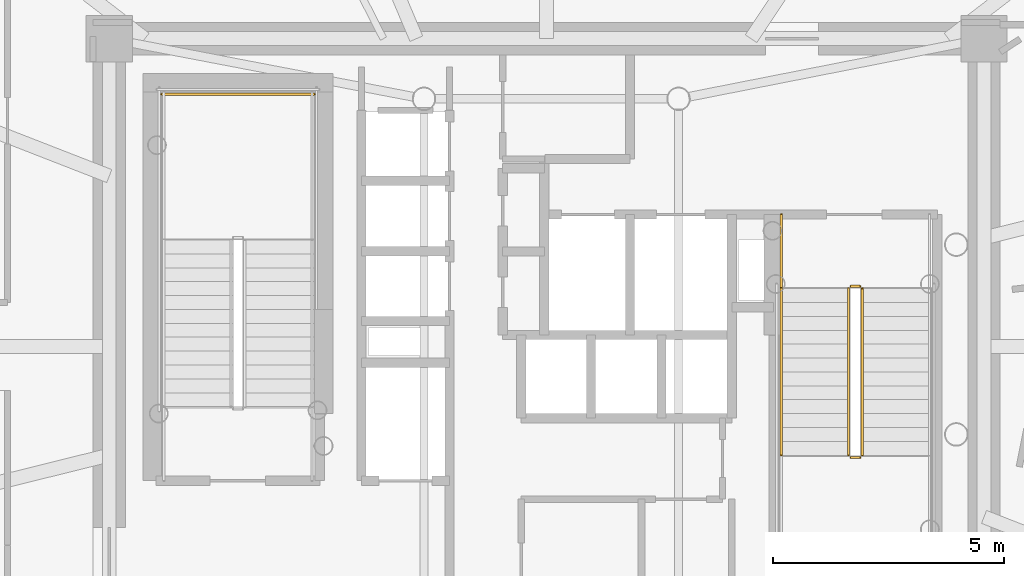
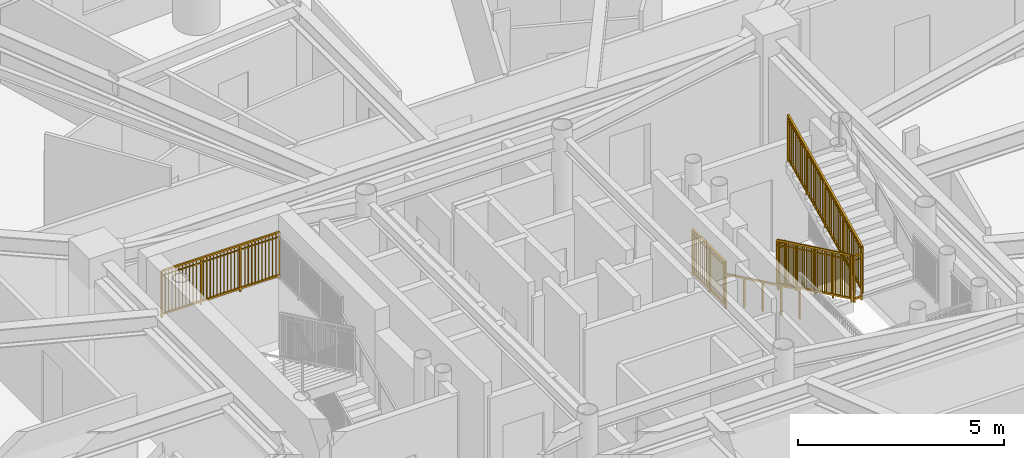
# One storey, part 19 of 22: 7 railings.
"""IFC4 building model written with IfcOpenShell, lengths in metres."""

from ifc_helpers import new_model, si_unit, direction, frame, origin, origin_2d, place, context, subcontext, project, spatial, rectangle, extrude, source, transform, mapped, material, type_object, element, save


model = new_model("IFC4")

# Units and contexts
model_context = context("Model", 3, precision=1e-05, world=origin(), true_north=direction((0.0, 1.0)))
body_context = subcontext(model_context, "Body", "Model", "MODEL_VIEW")
ifc_project = project(units=[si_unit("LENGTHUNIT", "METRE"), si_unit("AREAUNIT", "SQUARE_METRE"), si_unit("VOLUMEUNIT", "CUBIC_METRE"), si_unit("PLANEANGLEUNIT", "RADIAN"), si_unit("MASSUNIT", "GRAM", prefix="KILO")], contexts=[model_context])

# Site, building, storey
site_placement = place(None, origin())
site = spatial("IfcSite", under=ifc_project, at=site_placement, CompositionType="ELEMENT")
building_placement = place(site_placement, origin())
building = spatial("IfcBuilding", under=site, at=building_placement, Name="Linh Dai School and Residence Tower", CompositionType="ELEMENT")
storey_placement = place(building_placement, frame((0.0, 0.0, 214.050048828125)))
storey = spatial("IfcBuildingStorey", under=building, at=storey_placement, Name="L52", CompositionType="ELEMENT", Elevation=214.050048828125)

# Railings
ifc_material_1 = material(Name="Structural Steel S355JR", Category="steel")
railing_type_1 = type_object("IfcRailingType", Name="RL-ST-GUARD-1400", PredefinedType="GUARDRAIL", material=ifc_material_1)
shared_shape_1 = source(origin(), body_context, "Body", "SweptSolid", [
    extrude(rectangle(XDim=0.048095703125, YDim=0.048095703125, at=origin_2d()), frame((0.0, 0.0, 1.3759765625), z_axis=(-1.0, 0.0, 0.0), x_axis=(0.0, -1.0, 0.0)), (0.0, 0.0, 1.0), 3.300048828125),
    extrude(rectangle(XDim=0.048095703125, YDim=0.048095703125, at=origin_2d()), frame((0.0, 0.0, 0.10009765625), z_axis=(-1.0, 0.0, 0.0), x_axis=(0.0, -1.0, 0.0)), (0.0, 0.0, 1.0), 3.300048828125),
    extrude(rectangle(XDim=0.030029296875, YDim=0.030029296875, at=origin_2d()), frame((0.0, 0.0, 1.239990234375), z_axis=(-1.0, 0.0, 0.0), x_axis=(0.0, -1.0, 0.0)), (0.0, 0.0, 1.0), 3.300048828125),
    extrude(rectangle(XDim=0.02001953125, YDim=0.02001953125, at=origin_2d()), frame((-0.09716796875, 0.0, 0.10009765625)), (0.0, 0.0, 1.0), 1.251708984375),
    extrude(rectangle(XDim=0.02001953125, YDim=0.02001953125, at=origin_2d()), frame((-0.194091796875, 0.0, 0.10009765625)), (0.0, 0.0, 1.0), 1.251708984375),
    extrude(rectangle(XDim=0.02001953125, YDim=0.02001953125, at=origin_2d()), frame((-0.291259765625, 0.0, 0.10009765625)), (0.0, 0.0, 1.0), 1.251708984375),
    extrude(rectangle(XDim=0.02001953125, YDim=0.02001953125, at=origin_2d()), frame((-0.38818359375, 0.0, 0.10009765625)), (0.0, 0.0, 1.0), 1.251708984375),
    extrude(rectangle(XDim=0.02001953125, YDim=0.02001953125, at=origin_2d()), frame((-0.4853515625, 0.0, 0.10009765625)), (0.0, 0.0, 1.0), 1.251708984375),
    extrude(rectangle(XDim=0.02001953125, YDim=0.02001953125, at=origin_2d()), frame((-0.582275390625, 0.0, 0.10009765625)), (0.0, 0.0, 1.0), 1.251708984375),
    extrude(rectangle(XDim=0.02001953125, YDim=0.02001953125, at=origin_2d()), frame((-0.679443359375, 0.0, 0.10009765625)), (0.0, 0.0, 1.0), 1.251708984375),
    extrude(rectangle(XDim=0.02001953125, YDim=0.02001953125, at=origin_2d()), frame((-0.7763671875, 0.0, 0.10009765625)), (0.0, 0.0, 1.0), 1.251708984375),
    extrude(rectangle(XDim=0.02001953125, YDim=0.02001953125, at=origin_2d()), frame((-0.87353515625, 0.0, 0.10009765625)), (0.0, 0.0, 1.0), 1.251708984375),
    extrude(rectangle(XDim=0.02001953125, YDim=0.02001953125, at=origin_2d()), frame((-0.970703125, 0.0, 0.10009765625)), (0.0, 0.0, 1.0), 1.251708984375),
    extrude(rectangle(XDim=0.02001953125, YDim=0.02001953125, at=origin_2d()), frame((-1.164794921875, 0.0, 0.10009765625)), (0.0, 0.0, 1.0), 1.251708984375),
    extrude(rectangle(XDim=0.02001953125, YDim=0.02001953125, at=origin_2d()), frame((-1.26171875, 0.0, 0.10009765625)), (0.0, 0.0, 1.0), 1.251708984375),
    extrude(rectangle(XDim=0.02001953125, YDim=0.02001953125, at=origin_2d()), frame((-1.35888671875, 0.0, 0.10009765625)), (0.0, 0.0, 1.0), 1.251708984375),
    extrude(rectangle(XDim=0.02001953125, YDim=0.02001953125, at=origin_2d()), frame((-1.455810546875, 0.0, 0.10009765625)), (0.0, 0.0, 1.0), 1.251708984375),
    extrude(rectangle(XDim=0.02001953125, YDim=0.02001953125, at=origin_2d()), frame((-1.552978515625, 0.0, 0.10009765625)), (0.0, 0.0, 1.0), 1.251708984375),
    extrude(rectangle(XDim=0.02001953125, YDim=0.02001953125, at=origin_2d()), frame((-1.64990234375, 0.0, 0.10009765625)), (0.0, 0.0, 1.0), 1.251708984375),
    extrude(rectangle(XDim=0.02001953125, YDim=0.02001953125, at=origin_2d()), frame((-1.7470703125, 0.0, 0.10009765625)), (0.0, 0.0, 1.0), 1.251708984375),
    extrude(rectangle(XDim=0.02001953125, YDim=0.02001953125, at=origin_2d()), frame((-1.84423828125, 0.0, 0.10009765625)), (0.0, 0.0, 1.0), 1.251708984375),
    extrude(rectangle(XDim=0.02001953125, YDim=0.02001953125, at=origin_2d()), frame((-1.941162109375, 0.0, 0.10009765625)), (0.0, 0.0, 1.0), 1.251708984375),
    extrude(rectangle(XDim=0.02001953125, YDim=0.02001953125, at=origin_2d()), frame((-2.038330078125, 0.0, 0.10009765625)), (0.0, 0.0, 1.0), 1.251708984375),
    extrude(rectangle(XDim=0.02001953125, YDim=0.02001953125, at=origin_2d()), frame((-2.13525390625, 0.0, 0.10009765625)), (0.0, 0.0, 1.0), 1.251708984375),
    extrude(rectangle(XDim=0.02001953125, YDim=0.02001953125, at=origin_2d()), frame((-2.329345703125, 0.0, 0.10009765625)), (0.0, 0.0, 1.0), 1.251708984375),
    extrude(rectangle(XDim=0.02001953125, YDim=0.02001953125, at=origin_2d()), frame((-2.426513671875, 0.0, 0.10009765625)), (0.0, 0.0, 1.0), 1.251708984375),
    extrude(rectangle(XDim=0.02001953125, YDim=0.02001953125, at=origin_2d()), frame((-2.523681640625, 0.0, 0.10009765625)), (0.0, 0.0, 1.0), 1.251708984375),
    extrude(rectangle(XDim=0.02001953125, YDim=0.02001953125, at=origin_2d()), frame((-2.62060546875, 0.0, 0.10009765625)), (0.0, 0.0, 1.0), 1.251708984375),
    extrude(rectangle(XDim=0.02001953125, YDim=0.02001953125, at=origin_2d()), frame((-2.7177734375, 0.0, 0.10009765625)), (0.0, 0.0, 1.0), 1.251708984375),
    extrude(rectangle(XDim=0.02001953125, YDim=0.02001953125, at=origin_2d()), frame((-2.814697265625, 0.0, 0.10009765625)), (0.0, 0.0, 1.0), 1.251708984375),
    extrude(rectangle(XDim=0.02001953125, YDim=0.02001953125, at=origin_2d()), frame((-2.911865234375, 0.0, 0.10009765625)), (0.0, 0.0, 1.0), 1.251708984375),
    extrude(rectangle(XDim=0.02001953125, YDim=0.02001953125, at=origin_2d()), frame((-3.0087890625, 0.0, 0.10009765625)), (0.0, 0.0, 1.0), 1.251708984375),
    extrude(rectangle(XDim=0.02001953125, YDim=0.02001953125, at=origin_2d()), frame((-3.10595703125, 0.0, 0.10009765625)), (0.0, 0.0, 1.0), 1.251708984375),
    extrude(rectangle(XDim=0.02001953125, YDim=0.02001953125, at=origin_2d()), frame((-3.202880859375, 0.0, 0.10009765625)), (0.0, 0.0, 1.0), 1.251708984375),
    extrude(rectangle(XDim=0.0419921875, YDim=0.0419921875, at=origin_2d()), origin(), (0.0, 0.0, 1.0), 1.3759765625),
    extrude(rectangle(XDim=0.0419921875, YDim=0.0419921875, at=origin_2d()), frame((-1.10009765625, 0.0, 0.0)), (0.0, 0.0, 1.0), 1.3759765625),
    extrude(rectangle(XDim=0.0419921875, YDim=0.0419921875, at=origin_2d()), frame((-2.199951171875, 0.0, 0.0)), (0.0, 0.0, 1.0), 1.3759765625),
    extrude(rectangle(XDim=0.0419921875, YDim=0.0419921875, at=origin_2d()), frame((-3.300048828125, 0.0, 0.0)), (0.0, 0.0, 1.0), 1.3759765625),
])
railing_1_placement = place(storey_placement, frame((30.97998046875, 32.449951171875, 1.875)))
element("IfcRailing", 1, at=railing_1_placement, inside=storey, type_object=railing_type_1, Name="L52 ST1 stair guard 5", PredefinedType="GUARDRAIL", context=body_context, shape_type="MappedRepresentation", body=[
    mapped(shared_shape_1, transform((0.0, 0.0, 0.0), x_axis=(1.0, 0.0, 0.0), y_axis=(0.0, 1.0, 0.0), z_axis=(0.0, 0.0, 1.0), scale=1.0)),
])
shared_shape_2 = source(origin(), body_context, "Body", "SweptSolid", [
    extrude(rectangle(XDim=0.048095703125, YDim=0.048095703125, at=origin_2d()), frame((0.0, 0.0, 1.3759765625), z_axis=(0.0, 0.901262522062, 0.433273431364), x_axis=(-1.0, 0.0, 0.0)), (0.0, 0.0, 1.0), 3.994384765625),
    extrude(rectangle(XDim=0.048095703125, YDim=0.048095703125, at=origin_2d()), frame((0.0, 0.0, 0.10009765625), z_axis=(0.0, 0.901262522062, 0.433273431364), x_axis=(-1.0, 0.0, 0.0)), (0.0, 0.0, 1.0), 3.994384765625),
    extrude(rectangle(XDim=0.030029296875, YDim=0.030029296875, at=origin_2d()), frame((0.0, 0.0, 1.239990234375), z_axis=(0.0, 0.901262522062, 0.433273431364), x_axis=(-1.0, 0.0, 0.0)), (0.0, 0.0, 1.0), 3.994384765625),
    extrude(rectangle(XDim=0.02001953125, YDim=0.02001953125, at=origin_2d()), frame((0.0, 0.087890625, 0.142333984375)), (0.0, 0.0, 1.0), 1.251708984375),
    extrude(rectangle(XDim=0.02001953125, YDim=0.02001953125, at=origin_2d()), frame((0.0, 0.175537109375, 0.1845703125)), (0.0, 0.0, 1.0), 1.251708984375),
    extrude(rectangle(XDim=0.02001953125, YDim=0.02001953125, at=origin_2d()), frame((0.0, 0.263427734375, 0.226806640625)), (0.0, 0.0, 1.0), 1.251708984375),
    extrude(rectangle(XDim=0.02001953125, YDim=0.02001953125, at=origin_2d()), frame((0.0, 0.351318359375, 0.26904296875)), (0.0, 0.0, 1.0), 1.251708984375),
    extrude(rectangle(XDim=0.02001953125, YDim=0.02001953125, at=origin_2d()), frame((0.0, 0.43896484375, 0.311279296875)), (0.0, 0.0, 1.0), 1.251708984375),
    extrude(rectangle(XDim=0.02001953125, YDim=0.02001953125, at=origin_2d()), frame((0.0, 0.52685546875, 0.353271484375)), (0.0, 0.0, 1.0), 1.251708984375),
    extrude(rectangle(XDim=0.02001953125, YDim=0.02001953125, at=origin_2d()), frame((0.0, 0.61474609375, 0.3955078125)), (0.0, 0.0, 1.0), 1.251708984375),
    extrude(rectangle(XDim=0.02001953125, YDim=0.02001953125, at=origin_2d()), frame((0.0, 0.702392578125, 0.437744140625)), (0.0, 0.0, 1.0), 1.251708984375),
    extrude(rectangle(XDim=0.02001953125, YDim=0.02001953125, at=origin_2d()), frame((0.0, 0.790283203125, 0.47998046875)), (0.0, 0.0, 1.0), 1.251708984375),
    extrude(rectangle(XDim=0.02001953125, YDim=0.02001953125, at=origin_2d()), frame((0.0, 0.9658203125, 0.564453125)), (0.0, 0.0, 1.0), 1.251708984375),
    extrude(rectangle(XDim=0.02001953125, YDim=0.02001953125, at=origin_2d()), frame((0.0, 1.0537109375, 0.606689453125)), (0.0, 0.0, 1.0), 1.251708984375),
    extrude(rectangle(XDim=0.02001953125, YDim=0.02001953125, at=origin_2d()), frame((0.0, 1.1416015625, 0.64892578125)), (0.0, 0.0, 1.0), 1.251708984375),
    extrude(rectangle(XDim=0.02001953125, YDim=0.02001953125, at=origin_2d()), frame((0.0, 1.229248046875, 0.691162109375)), (0.0, 0.0, 1.0), 1.251708984375),
    extrude(rectangle(XDim=0.02001953125, YDim=0.02001953125, at=origin_2d()), frame((0.0, 1.317138671875, 0.7333984375)), (0.0, 0.0, 1.0), 1.251708984375),
    extrude(rectangle(XDim=0.02001953125, YDim=0.02001953125, at=origin_2d()), frame((0.0, 1.405029296875, 0.775390625)), (0.0, 0.0, 1.0), 1.251708984375),
    extrude(rectangle(XDim=0.02001953125, YDim=0.02001953125, at=origin_2d()), frame((0.0, 1.49267578125, 0.817626953125)), (0.0, 0.0, 1.0), 1.251708984375),
    extrude(rectangle(XDim=0.02001953125, YDim=0.02001953125, at=origin_2d()), frame((0.0, 1.58056640625, 0.85986328125)), (0.0, 0.0, 1.0), 1.251708984375),
    extrude(rectangle(XDim=0.02001953125, YDim=0.02001953125, at=origin_2d()), frame((0.0, 1.66845703125, 0.902099609375)), (0.0, 0.0, 1.0), 1.251708984375),
    extrude(rectangle(XDim=0.02001953125, YDim=0.02001953125, at=origin_2d()), frame((0.0, 1.756103515625, 0.9443359375)), (0.0, 0.0, 1.0), 1.251708984375),
    extrude(rectangle(XDim=0.02001953125, YDim=0.02001953125, at=origin_2d()), frame((0.0, 1.843994140625, 0.986572265625)), (0.0, 0.0, 1.0), 1.251708984375),
    extrude(rectangle(XDim=0.02001953125, YDim=0.02001953125, at=origin_2d()), frame((0.0, 1.931640625, 1.02880859375)), (0.0, 0.0, 1.0), 1.251708984375),
    extrude(rectangle(XDim=0.02001953125, YDim=0.02001953125, at=origin_2d()), frame((0.0, 2.01953125, 1.071044921875)), (0.0, 0.0, 1.0), 1.251708984375),
    extrude(rectangle(XDim=0.02001953125, YDim=0.02001953125, at=origin_2d()), frame((0.0, 2.107421875, 1.11328125)), (0.0, 0.0, 1.0), 1.251708984375),
    extrude(rectangle(XDim=0.02001953125, YDim=0.02001953125, at=origin_2d()), frame((0.0, 2.195068359375, 1.155517578125)), (0.0, 0.0, 1.0), 1.251708984375),
    extrude(rectangle(XDim=0.02001953125, YDim=0.02001953125, at=origin_2d()), frame((0.0, 2.282958984375, 1.197509765625)), (0.0, 0.0, 1.0), 1.251708984375),
    extrude(rectangle(XDim=0.02001953125, YDim=0.02001953125, at=origin_2d()), frame((0.0, 2.370849609375, 1.23974609375)), (0.0, 0.0, 1.0), 1.251708984375),
    extrude(rectangle(XDim=0.02001953125, YDim=0.02001953125, at=origin_2d()), frame((0.0, 2.45849609375, 1.281982421875)), (0.0, 0.0, 1.0), 1.251708984375),
    extrude(rectangle(XDim=0.02001953125, YDim=0.02001953125, at=origin_2d()), frame((0.0, 2.54638671875, 1.32421875)), (0.0, 0.0, 1.0), 1.251708984375),
    extrude(rectangle(XDim=0.02001953125, YDim=0.02001953125, at=origin_2d()), frame((0.0, 2.63427734375, 1.366455078125)), (0.0, 0.0, 1.0), 1.251708984375),
    extrude(rectangle(XDim=0.02001953125, YDim=0.02001953125, at=origin_2d()), frame((0.0, 2.809814453125, 1.450927734375)), (0.0, 0.0, 1.0), 1.251708984375),
    extrude(rectangle(XDim=0.02001953125, YDim=0.02001953125, at=origin_2d()), frame((0.0, 2.897705078125, 1.4931640625)), (0.0, 0.0, 1.0), 1.251708984375),
    extrude(rectangle(XDim=0.02001953125, YDim=0.02001953125, at=origin_2d()), frame((0.0, 2.9853515625, 1.535400390625)), (0.0, 0.0, 1.0), 1.251708984375),
    extrude(rectangle(XDim=0.02001953125, YDim=0.02001953125, at=origin_2d()), frame((0.0, 3.0732421875, 1.57763671875)), (0.0, 0.0, 1.0), 1.251708984375),
    extrude(rectangle(XDim=0.02001953125, YDim=0.02001953125, at=origin_2d()), frame((0.0, 3.1611328125, 1.61962890625)), (0.0, 0.0, 1.0), 1.251708984375),
    extrude(rectangle(XDim=0.02001953125, YDim=0.02001953125, at=origin_2d()), frame((0.0, 3.248779296875, 1.661865234375)), (0.0, 0.0, 1.0), 1.251708984375),
    extrude(rectangle(XDim=0.02001953125, YDim=0.02001953125, at=origin_2d()), frame((0.0, 3.336669921875, 1.7041015625)), (0.0, 0.0, 1.0), 1.251708984375),
    extrude(rectangle(XDim=0.02001953125, YDim=0.02001953125, at=origin_2d()), frame((0.0, 3.424560546875, 1.746337890625)), (0.0, 0.0, 1.0), 1.251708984375),
    extrude(rectangle(XDim=0.02001953125, YDim=0.02001953125, at=origin_2d()), frame((0.0, 3.51220703125, 1.78857421875)), (0.0, 0.0, 1.0), 1.251708984375),
    extrude(rectangle(XDim=0.0419921875, YDim=0.0419921875, at=origin_2d()), origin(), (0.0, 0.0, 1.0), 1.3759765625),
    extrude(rectangle(XDim=0.0419921875, YDim=0.0419921875, at=origin_2d()), frame((0.0, 0.89990234375, 0.4326171875)), (0.0, 0.0, 1.0), 1.3759765625),
    extrude(rectangle(XDim=0.0419921875, YDim=0.0419921875, at=origin_2d()), frame((0.0, 1.800048828125, 0.865234375)), (0.0, 0.0, 1.0), 1.3759765625),
    extrude(rectangle(XDim=0.0419921875, YDim=0.0419921875, at=origin_2d()), frame((0.0, 2.7001953125, 1.298095703125)), (0.0, 0.0, 1.0), 1.3759765625),
    extrude(rectangle(XDim=0.0419921875, YDim=0.0419921875, at=origin_2d()), frame((0.0, 3.60009765625, 1.730712890625)), (0.0, 0.0, 1.0), 1.3759765625),
])
railing_2_placement = place(storey_placement, frame((42.820068359375, 24.64990234375, 2.019287109375)))
element("IfcRailing", 2, at=railing_2_placement, inside=storey, type_object=railing_type_1, Name="L52 ST2 stair guard 6", PredefinedType="GUARDRAIL", context=body_context, shape_type="MappedRepresentation", body=[
    mapped(shared_shape_2, transform((0.0, 0.0, 0.0), x_axis=(1.0, 0.0, 0.0), y_axis=(0.0, 1.0, 0.0), z_axis=(0.0, 0.0, 1.0), scale=1.0)),
])
shared_shape_3 = source(origin(), body_context, "Body", "SweptSolid", [
    extrude(rectangle(XDim=0.048095703125, YDim=0.048095703125, at=origin_2d()), frame((0.0, 0.0, 1.3759765625), z_axis=(0.0, -0.901262522062, 0.433273431364), x_axis=(1.0, 0.0, 0.0)), (0.0, 0.0, 1.0), 3.994384765625),
    extrude(rectangle(XDim=0.048095703125, YDim=0.048095703125, at=origin_2d()), frame((0.0, 0.0, 0.10009765625), z_axis=(0.0, -0.901262522062, 0.433273431364), x_axis=(1.0, 0.0, 0.0)), (0.0, 0.0, 1.0), 3.994384765625),
    extrude(rectangle(XDim=0.030029296875, YDim=0.030029296875, at=origin_2d()), frame((0.0, 0.0, 1.239990234375), z_axis=(0.0, -0.901262522062, 0.433273431364), x_axis=(1.0, 0.0, 0.0)), (0.0, 0.0, 1.0), 3.994384765625),
    extrude(rectangle(XDim=0.02001953125, YDim=0.02001953125, at=origin_2d()), frame((0.0, -0.087890625, 0.142333984375)), (0.0, 0.0, 1.0), 1.251708984375),
    extrude(rectangle(XDim=0.02001953125, YDim=0.02001953125, at=origin_2d()), frame((0.0, -0.175537109375, 0.1845703125)), (0.0, 0.0, 1.0), 1.251708984375),
    extrude(rectangle(XDim=0.02001953125, YDim=0.02001953125, at=origin_2d()), frame((0.0, -0.263427734375, 0.226806640625)), (0.0, 0.0, 1.0), 1.251708984375),
    extrude(rectangle(XDim=0.02001953125, YDim=0.02001953125, at=origin_2d()), frame((0.0, -0.351318359375, 0.26904296875)), (0.0, 0.0, 1.0), 1.251708984375),
    extrude(rectangle(XDim=0.02001953125, YDim=0.02001953125, at=origin_2d()), frame((0.0, -0.43896484375, 0.311279296875)), (0.0, 0.0, 1.0), 1.251708984375),
    extrude(rectangle(XDim=0.02001953125, YDim=0.02001953125, at=origin_2d()), frame((0.0, -0.52685546875, 0.353271484375)), (0.0, 0.0, 1.0), 1.251708984375),
    extrude(rectangle(XDim=0.02001953125, YDim=0.02001953125, at=origin_2d()), frame((0.0, -0.61474609375, 0.3955078125)), (0.0, 0.0, 1.0), 1.251708984375),
    extrude(rectangle(XDim=0.02001953125, YDim=0.02001953125, at=origin_2d()), frame((0.0, -0.702392578125, 0.437744140625)), (0.0, 0.0, 1.0), 1.251708984375),
    extrude(rectangle(XDim=0.02001953125, YDim=0.02001953125, at=origin_2d()), frame((0.0, -0.790283203125, 0.47998046875)), (0.0, 0.0, 1.0), 1.251708984375),
    extrude(rectangle(XDim=0.02001953125, YDim=0.02001953125, at=origin_2d()), frame((0.0, -0.9658203125, 0.564453125)), (0.0, 0.0, 1.0), 1.251708984375),
    extrude(rectangle(XDim=0.02001953125, YDim=0.02001953125, at=origin_2d()), frame((0.0, -1.0537109375, 0.606689453125)), (0.0, 0.0, 1.0), 1.251708984375),
    extrude(rectangle(XDim=0.02001953125, YDim=0.02001953125, at=origin_2d()), frame((0.0, -1.1416015625, 0.64892578125)), (0.0, 0.0, 1.0), 1.251708984375),
    extrude(rectangle(XDim=0.02001953125, YDim=0.02001953125, at=origin_2d()), frame((0.0, -1.229248046875, 0.691162109375)), (0.0, 0.0, 1.0), 1.251708984375),
    extrude(rectangle(XDim=0.02001953125, YDim=0.02001953125, at=origin_2d()), frame((0.0, -1.317138671875, 0.7333984375)), (0.0, 0.0, 1.0), 1.251708984375),
    extrude(rectangle(XDim=0.02001953125, YDim=0.02001953125, at=origin_2d()), frame((0.0, -1.405029296875, 0.775390625)), (0.0, 0.0, 1.0), 1.251708984375),
    extrude(rectangle(XDim=0.02001953125, YDim=0.02001953125, at=origin_2d()), frame((0.0, -1.49267578125, 0.817626953125)), (0.0, 0.0, 1.0), 1.251708984375),
    extrude(rectangle(XDim=0.02001953125, YDim=0.02001953125, at=origin_2d()), frame((0.0, -1.58056640625, 0.85986328125)), (0.0, 0.0, 1.0), 1.251708984375),
    extrude(rectangle(XDim=0.02001953125, YDim=0.02001953125, at=origin_2d()), frame((0.0, -1.66845703125, 0.902099609375)), (0.0, 0.0, 1.0), 1.251708984375),
    extrude(rectangle(XDim=0.02001953125, YDim=0.02001953125, at=origin_2d()), frame((0.0, -1.756103515625, 0.9443359375)), (0.0, 0.0, 1.0), 1.251708984375),
    extrude(rectangle(XDim=0.02001953125, YDim=0.02001953125, at=origin_2d()), frame((0.0, -1.843994140625, 0.986572265625)), (0.0, 0.0, 1.0), 1.251708984375),
    extrude(rectangle(XDim=0.02001953125, YDim=0.02001953125, at=origin_2d()), frame((0.0, -1.931640625, 1.02880859375)), (0.0, 0.0, 1.0), 1.251708984375),
    extrude(rectangle(XDim=0.02001953125, YDim=0.02001953125, at=origin_2d()), frame((0.0, -2.01953125, 1.071044921875)), (0.0, 0.0, 1.0), 1.251708984375),
    extrude(rectangle(XDim=0.02001953125, YDim=0.02001953125, at=origin_2d()), frame((0.0, -2.107421875, 1.11328125)), (0.0, 0.0, 1.0), 1.251708984375),
    extrude(rectangle(XDim=0.02001953125, YDim=0.02001953125, at=origin_2d()), frame((0.0, -2.195068359375, 1.155517578125)), (0.0, 0.0, 1.0), 1.251708984375),
    extrude(rectangle(XDim=0.02001953125, YDim=0.02001953125, at=origin_2d()), frame((0.0, -2.282958984375, 1.197509765625)), (0.0, 0.0, 1.0), 1.251708984375),
    extrude(rectangle(XDim=0.02001953125, YDim=0.02001953125, at=origin_2d()), frame((0.0, -2.370849609375, 1.23974609375)), (0.0, 0.0, 1.0), 1.251708984375),
    extrude(rectangle(XDim=0.02001953125, YDim=0.02001953125, at=origin_2d()), frame((0.0, -2.45849609375, 1.281982421875)), (0.0, 0.0, 1.0), 1.251708984375),
    extrude(rectangle(XDim=0.02001953125, YDim=0.02001953125, at=origin_2d()), frame((0.0, -2.54638671875, 1.32421875)), (0.0, 0.0, 1.0), 1.251708984375),
    extrude(rectangle(XDim=0.02001953125, YDim=0.02001953125, at=origin_2d()), frame((0.0, -2.63427734375, 1.366455078125)), (0.0, 0.0, 1.0), 1.251708984375),
    extrude(rectangle(XDim=0.02001953125, YDim=0.02001953125, at=origin_2d()), frame((0.0, -2.809814453125, 1.450927734375)), (0.0, 0.0, 1.0), 1.251708984375),
    extrude(rectangle(XDim=0.02001953125, YDim=0.02001953125, at=origin_2d()), frame((0.0, -2.897705078125, 1.4931640625)), (0.0, 0.0, 1.0), 1.251708984375),
    extrude(rectangle(XDim=0.02001953125, YDim=0.02001953125, at=origin_2d()), frame((0.0, -2.9853515625, 1.535400390625)), (0.0, 0.0, 1.0), 1.251708984375),
    extrude(rectangle(XDim=0.02001953125, YDim=0.02001953125, at=origin_2d()), frame((0.0, -3.0732421875, 1.57763671875)), (0.0, 0.0, 1.0), 1.251708984375),
    extrude(rectangle(XDim=0.02001953125, YDim=0.02001953125, at=origin_2d()), frame((0.0, -3.1611328125, 1.61962890625)), (0.0, 0.0, 1.0), 1.251708984375),
    extrude(rectangle(XDim=0.02001953125, YDim=0.02001953125, at=origin_2d()), frame((0.0, -3.248779296875, 1.661865234375)), (0.0, 0.0, 1.0), 1.251708984375),
    extrude(rectangle(XDim=0.02001953125, YDim=0.02001953125, at=origin_2d()), frame((0.0, -3.336669921875, 1.7041015625)), (0.0, 0.0, 1.0), 1.251708984375),
    extrude(rectangle(XDim=0.02001953125, YDim=0.02001953125, at=origin_2d()), frame((0.0, -3.424560546875, 1.746337890625)), (0.0, 0.0, 1.0), 1.251708984375),
    extrude(rectangle(XDim=0.02001953125, YDim=0.02001953125, at=origin_2d()), frame((0.0, -3.51220703125, 1.78857421875)), (0.0, 0.0, 1.0), 1.251708984375),
    extrude(rectangle(XDim=0.0419921875, YDim=0.0419921875, at=origin_2d()), origin(), (0.0, 0.0, 1.0), 1.3759765625),
    extrude(rectangle(XDim=0.0419921875, YDim=0.0419921875, at=origin_2d()), frame((0.0, -0.89990234375, 0.4326171875)), (0.0, 0.0, 1.0), 1.3759765625),
    extrude(rectangle(XDim=0.0419921875, YDim=0.0419921875, at=origin_2d()), frame((0.0, -1.800048828125, 0.865234375)), (0.0, 0.0, 1.0), 1.3759765625),
    extrude(rectangle(XDim=0.0419921875, YDim=0.0419921875, at=origin_2d()), frame((0.0, -2.7001953125, 1.298095703125)), (0.0, 0.0, 1.0), 1.3759765625),
    extrude(rectangle(XDim=0.0419921875, YDim=0.0419921875, at=origin_2d()), frame((0.0, -3.60009765625, 1.730712890625)), (0.0, 0.0, 1.0), 1.3759765625),
])
railing_3_placement = place(storey_placement, frame((42.52001953125, 28.25, 0.144287109375)))
element("IfcRailing", 3, at=railing_3_placement, inside=storey, type_object=railing_type_1, Name="L52 ST2 stair guard 1", PredefinedType="GUARDRAIL", context=body_context, shape_type="MappedRepresentation", body=[
    mapped(shared_shape_3, transform((0.0, 0.0, 0.0), x_axis=(1.0, 0.0, 0.0), y_axis=(0.0, 1.0, 0.0), z_axis=(0.0, 0.0, 1.0), scale=1.0)),
])
ifc_material_2 = material(Name="Brushed Stainless Steel Handrail", Category="steel")
railing_type_2 = type_object("IfcRailingType", Name="RL-ST-HANDRAIL-900", PredefinedType="HANDRAIL", material=ifc_material_2)
shared_shape_4 = source(origin(), body_context, "Body", "SweptSolid", [
    extrude(rectangle(XDim=0.048095703125, YDim=0.048095703125, at=origin_2d()), frame((0.0, 0.0, 0.8759765625), z_axis=(0.0, -0.901262522062, 0.433273431364), x_axis=(1.0, 0.0, 0.0)), (0.0, 0.0, 1.0), 3.994384765625),
    extrude(rectangle(XDim=0.0419921875, YDim=0.0419921875, at=origin_2d()), origin(), (0.0, 0.0, 1.0), 0.8759765625),
    extrude(rectangle(XDim=0.0419921875, YDim=0.0419921875, at=origin_2d()), frame((0.0, -0.89990234375, 0.4326171875)), (0.0, 0.0, 1.0), 0.8759765625),
    extrude(rectangle(XDim=0.0419921875, YDim=0.0419921875, at=origin_2d()), frame((0.0, -1.800048828125, 0.865234375)), (0.0, 0.0, 1.0), 0.8759765625),
    extrude(rectangle(XDim=0.0419921875, YDim=0.0419921875, at=origin_2d()), frame((0.0, -2.7001953125, 1.298095703125)), (0.0, 0.0, 1.0), 0.8759765625),
    extrude(rectangle(XDim=0.0419921875, YDim=0.0419921875, at=origin_2d()), frame((0.0, -3.60009765625, 1.730712890625)), (0.0, 0.0, 1.0), 0.8759765625),
])
railing_4_placement = place(storey_placement, frame((41.070068359375, 28.25, 0.144287109375)))
element("IfcRailing", 4, at=railing_4_placement, inside=storey, type_object=railing_type_2, Name="L52 ST2 stair handrail 1", PredefinedType="HANDRAIL", context=body_context, shape_type="MappedRepresentation", body=[
    mapped(shared_shape_4, transform((0.0, 0.0, 0.0), x_axis=(1.0, 0.0, 0.0), y_axis=(0.0, 1.0, 0.0), z_axis=(0.0, 0.0, 1.0), scale=1.0)),
])
shared_shape_5 = source(origin(), body_context, "Body", "SweptSolid", [
    extrude(rectangle(XDim=0.048095703125, YDim=0.048095703125, at=origin_2d()), frame((0.0, 0.0, 1.3759765625), z_axis=(1.0, 0.0, 0.0), x_axis=(0.0, 1.0, 0.0)), (0.0, 0.0, 1.0), 0.199951171875),
    extrude(rectangle(XDim=0.048095703125, YDim=0.048095703125, at=origin_2d()), frame((0.0, 0.0, 0.10009765625), z_axis=(1.0, 0.0, 0.0), x_axis=(0.0, 1.0, 0.0)), (0.0, 0.0, 1.0), 0.199951171875),
    extrude(rectangle(XDim=0.030029296875, YDim=0.030029296875, at=origin_2d()), frame((0.0, 0.0, 1.239990234375), z_axis=(1.0, 0.0, 0.0), x_axis=(0.0, 1.0, 0.0)), (0.0, 0.0, 1.0), 0.199951171875),
    extrude(rectangle(XDim=0.0419921875, YDim=0.0419921875, at=origin_2d()), origin(), (0.0, 0.0, 1.0), 1.3759765625),
    extrude(rectangle(XDim=0.0419921875, YDim=0.0419921875, at=origin_2d()), frame((0.199951171875, 0.0, 0.0)), (0.0, 0.0, 1.0), 1.3759765625),
])
for number, where, name in (
    (5, (42.570068359375, 24.60009765625, 1.875), "L52 ST2 stair guard 2"),
    (6, (42.570068359375, 28.300048828125, 0.0), "L52 ST2 stair guard 7"),
):
    element("IfcRailing", number, at=place(storey_placement, frame(where)), inside=storey, type_object=railing_type_1, Name=name, PredefinedType="GUARDRAIL", context=body_context, shape_type="MappedRepresentation", body=[
        mapped(shared_shape_5, transform((0.0, 0.0, 0.0), x_axis=(1.0, 0.0, 0.0), y_axis=(0.0, 1.0, 0.0), z_axis=(0.0, 0.0, 1.0), scale=1.0)),
    ])
shared_shape_6 = source(origin(), body_context, "Body", "SweptSolid", [
    extrude(rectangle(XDim=0.048095703125, YDim=0.048095703125, at=origin_2d()), frame((0.0, 0.0, 1.3759765625), z_axis=(0.0, -1.0, 0.0), x_axis=(1.0, 0.0, 0.0)), (0.0, 0.0, 1.0), 1.60009765625),
    extrude(rectangle(XDim=0.048095703125, YDim=0.048095703125, at=origin_2d()), frame((0.0, 0.0, 0.10009765625), z_axis=(0.0, -1.0, 0.0), x_axis=(1.0, 0.0, 0.0)), (0.0, 0.0, 1.0), 1.60009765625),
    extrude(rectangle(XDim=0.030029296875, YDim=0.030029296875, at=origin_2d()), frame((0.0, 0.0, 1.239990234375), z_axis=(0.0, -1.0, 0.0), x_axis=(1.0, 0.0, 0.0)), (0.0, 0.0, 1.0), 1.60009765625),
    extrude(rectangle(XDim=0.02001953125, YDim=0.02001953125, at=origin_2d()), frame((0.0, -0.09423828125, 0.10009765625)), (0.0, 0.0, 1.0), 1.251708984375),
    extrude(rectangle(XDim=0.02001953125, YDim=0.02001953125, at=origin_2d()), frame((0.0, -0.188232421875, 0.10009765625)), (0.0, 0.0, 1.0), 1.251708984375),
    extrude(rectangle(XDim=0.02001953125, YDim=0.02001953125, at=origin_2d()), frame((0.0, -0.282470703125, 0.10009765625)), (0.0, 0.0, 1.0), 1.251708984375),
    extrude(rectangle(XDim=0.02001953125, YDim=0.02001953125, at=origin_2d()), frame((0.0, -0.37646484375, 0.10009765625)), (0.0, 0.0, 1.0), 1.251708984375),
    extrude(rectangle(XDim=0.02001953125, YDim=0.02001953125, at=origin_2d()), frame((0.0, -0.470703125, 0.10009765625)), (0.0, 0.0, 1.0), 1.251708984375),
    extrude(rectangle(XDim=0.02001953125, YDim=0.02001953125, at=origin_2d()), frame((0.0, -0.564697265625, 0.10009765625)), (0.0, 0.0, 1.0), 1.251708984375),
    extrude(rectangle(XDim=0.02001953125, YDim=0.02001953125, at=origin_2d()), frame((0.0, -0.658935546875, 0.10009765625)), (0.0, 0.0, 1.0), 1.251708984375),
    extrude(rectangle(XDim=0.02001953125, YDim=0.02001953125, at=origin_2d()), frame((0.0, -0.7529296875, 0.10009765625)), (0.0, 0.0, 1.0), 1.251708984375),
    extrude(rectangle(XDim=0.02001953125, YDim=0.02001953125, at=origin_2d()), frame((0.0, -0.84716796875, 0.10009765625)), (0.0, 0.0, 1.0), 1.251708984375),
    extrude(rectangle(XDim=0.02001953125, YDim=0.02001953125, at=origin_2d()), frame((0.0, -0.941162109375, 0.10009765625)), (0.0, 0.0, 1.0), 1.251708984375),
    extrude(rectangle(XDim=0.02001953125, YDim=0.02001953125, at=origin_2d()), frame((0.0, -1.035400390625, 0.10009765625)), (0.0, 0.0, 1.0), 1.251708984375),
    extrude(rectangle(XDim=0.02001953125, YDim=0.02001953125, at=origin_2d()), frame((0.0, -1.12939453125, 0.10009765625)), (0.0, 0.0, 1.0), 1.251708984375),
    extrude(rectangle(XDim=0.02001953125, YDim=0.02001953125, at=origin_2d()), frame((0.0, -1.2236328125, 0.10009765625)), (0.0, 0.0, 1.0), 1.251708984375),
    extrude(rectangle(XDim=0.02001953125, YDim=0.02001953125, at=origin_2d()), frame((0.0, -1.317626953125, 0.10009765625)), (0.0, 0.0, 1.0), 1.251708984375),
    extrude(rectangle(XDim=0.02001953125, YDim=0.02001953125, at=origin_2d()), frame((0.0, -1.411865234375, 0.10009765625)), (0.0, 0.0, 1.0), 1.251708984375),
    extrude(rectangle(XDim=0.02001953125, YDim=0.02001953125, at=origin_2d()), frame((0.0, -1.505859375, 0.10009765625)), (0.0, 0.0, 1.0), 1.251708984375),
    extrude(rectangle(XDim=0.0419921875, YDim=0.0419921875, at=origin_2d()), origin(), (0.0, 0.0, 1.0), 1.3759765625),
    extrude(rectangle(XDim=0.0419921875, YDim=0.0419921875, at=origin_2d()), frame((0.0, -0.800048828125, 0.0)), (0.0, 0.0, 1.0), 1.3759765625),
    extrude(rectangle(XDim=0.0419921875, YDim=0.0419921875, at=origin_2d()), frame((0.0, -1.60009765625, 0.0)), (0.0, 0.0, 1.0), 1.3759765625),
])
railing_5_placement = place(storey_placement, frame((41.070068359375, 29.85009765625, 0.0)))
element("IfcRailing", 7, at=railing_5_placement, inside=storey, type_object=railing_type_1, Name="L52 ST2 stair guard 8", PredefinedType="GUARDRAIL", context=body_context, shape_type="MappedRepresentation", body=[
    mapped(shared_shape_6, transform((0.0, 0.0, 0.0), x_axis=(1.0, 0.0, 0.0), y_axis=(0.0, 1.0, 0.0), z_axis=(0.0, 0.0, 1.0), scale=1.0)),
])

save(model, "model.ifc")
